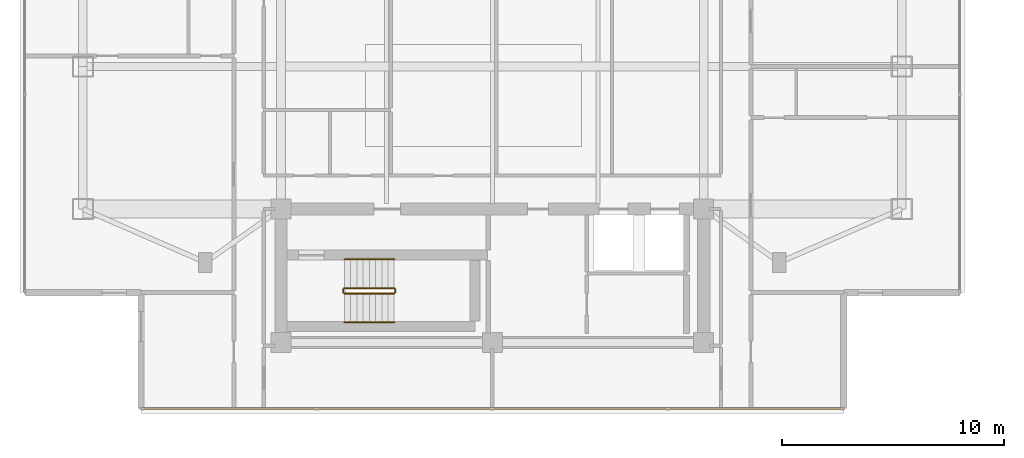
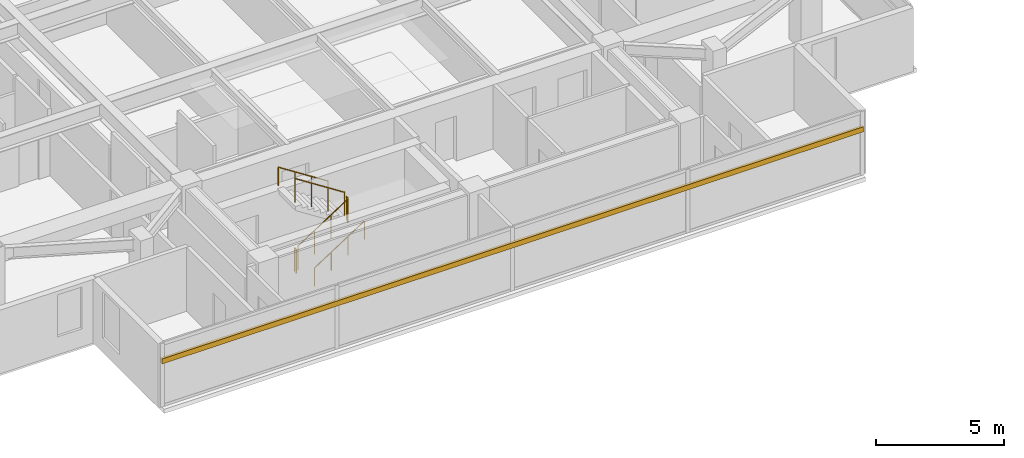
# One storey, part 20 of 26: 6 railings, 1 shading device.
"""IFC4 building model written with IfcOpenShell, lengths in metres."""

from ifc_helpers import new_model, si_unit, direction, frame, origin, origin_2d, place, context, subcontext, project, spatial, rectangle, circle, extrude, material, material_profile, profile_set, type_object, element, save


model = new_model("IFC4")

# Units and contexts
model_context = context("Model", 3, precision=1e-05, world=origin(), true_north=direction((0.0, 1.0)))
body_context = subcontext(model_context, "Body", "Model", "MODEL_VIEW")
ifc_project = project(units=[si_unit("LENGTHUNIT", "METRE"), si_unit("AREAUNIT", "SQUARE_METRE"), si_unit("VOLUMEUNIT", "CUBIC_METRE"), si_unit("PLANEANGLEUNIT", "RADIAN"), si_unit("MASSUNIT", "GRAM", prefix="KILO")], contexts=[model_context])

# Site, building, storey
site_placement = place(None, origin())
site = spatial("IfcSite", under=ifc_project, at=site_placement, CompositionType="ELEMENT")
building_placement = place(site_placement, origin())
building = spatial("IfcBuilding", under=site, at=building_placement, Name="Mirazonda Arch Towers", CompositionType="ELEMENT")
storey_placement = place(building_placement, frame((0.0, 0.0, 203.14990234375)))
storey = spatial("IfcBuildingStorey", under=building, at=storey_placement, Name="L58", CompositionType="ELEMENT", Elevation=203.14990234375)

# Shading device
ifc_material_1 = material(Name="Kiln-Fired Architectural Terracotta", Category="masonry")
ifc_material_profile = material_profile(ifc_material_1, rectangle(XDim=0.1201171875, YDim=0.239990234375, at=origin_2d()), Name="TERRA-BAG-120x240")
ifc_profile_set = profile_set([ifc_material_profile], Name="Kiln-Fired Architectural Terracotta")
shading_device_type = type_object("IfcShadingDeviceType", Name="BAGUETTE-1", PredefinedType="USERDEFINED", material=ifc_profile_set)
shading_device_placement = place(storey_placement, frame((36.294921875, 9.422119140625, 2.181640625), z_axis=(-1.0, 0.0, 0.0), x_axis=(0.0, -1.0, 0.0)))
element("IfcShadingDevice", 1, at=shading_device_placement, inside=storey, type_object=shading_device_type, Name="L58 Glazed Terracotta Sun-Screen Baguette CW-L58-T1-S", ObjectType="BAGUETTE", PredefinedType="USERDEFINED", context=body_context, shape_type="SweptSolid", body=[
    extrude(rectangle(XDim=0.1201171875, YDim=0.239990234375, at=origin_2d()), origin(), (0.0, 0.0, 1.0), 31.58984375),
])

# Railings
ifc_material_2 = material(Name="Architectural Brushed Steel S355", Category="steel")
railing_type_1 = type_object("IfcRailingType", Name="GUARD-STAIR-1120", PredefinedType="GUARDRAIL", material=ifc_material_2)
railing_1_placement = place(storey_placement, frame((13.85009765625, 14.60009765625, 0.1806640625)))
element("IfcRailing", 2, at=railing_1_placement, inside=storey, type_object=railing_type_1, Name="L58 ST-T1S stair guard 1", PredefinedType="GUARDRAIL", context=body_context, shape_type="SweptSolid", body=[
    extrude(circle(Radius=0.02392578125, at=origin_2d()), frame((0.0, 0.0, 1.1259765625), z_axis=(0.840436612492, 0.0, 0.541909863706), x_axis=(0.0, 1.0, 0.0)), (0.0, 0.0, 1.0), 2.665283203125),
    extrude(circle(Radius=0.02099609375, at=origin_2d()), origin(), (0.0, 0.0, 1.0), 1.101806640625),
    extrude(circle(Radius=0.02099609375, at=origin_2d()), frame((0.74658203125, 0.0, 0.4814453125)), (0.0, 0.0, 1.0), 1.101806640625),
    extrude(circle(Radius=0.02099609375, at=origin_2d()), frame((1.493408203125, 0.0, 0.962890625)), (0.0, 0.0, 1.0), 1.101806640625),
    extrude(circle(Radius=0.02099609375, at=origin_2d()), frame((2.239990234375, 0.0, 1.4443359375)), (0.0, 0.0, 1.0), 1.101806640625),
])
railing_2_placement = place(storey_placement, frame((16.139892578125, 14.64990234375, 1.625)))
element("IfcRailing", 3, at=railing_2_placement, inside=storey, type_object=railing_type_1, Name="L58 ST-T1S stair guard 2", PredefinedType="GUARDRAIL", context=body_context, shape_type="SweptSolid", body=[
    extrude(circle(Radius=0.02392578125, at=origin_2d()), frame((0.0, 0.0, 1.1259765625), z_axis=(0.0, 1.0, 0.0), x_axis=(-1.0, 0.0, 0.0)), (0.0, 0.0, 1.0), 0.14013671875),
    extrude(circle(Radius=0.02099609375, at=origin_2d()), origin(), (0.0, 0.0, 1.0), 1.101806640625),
    extrude(circle(Radius=0.02099609375, at=origin_2d()), frame((0.0, 0.14013671875, 0.0)), (0.0, 0.0, 1.0), 1.101806640625),
])
railing_3_placement = place(storey_placement, frame((16.090087890625, 14.840087890625, 1.8056640625)))
element("IfcRailing", 4, at=railing_3_placement, inside=storey, type_object=railing_type_1, Name="L58 ST-T1S stair guard 3", PredefinedType="GUARDRAIL", context=body_context, shape_type="SweptSolid", body=[
    extrude(circle(Radius=0.02392578125, at=origin_2d()), frame((0.0, 0.0, 1.1259765625), z_axis=(-0.840436612492, 0.0, 0.541909863706), x_axis=(0.0, -1.0, 0.0)), (0.0, 0.0, 1.0), 2.665283203125),
    extrude(circle(Radius=0.02099609375, at=origin_2d()), origin(), (0.0, 0.0, 1.0), 1.101806640625),
    extrude(circle(Radius=0.02099609375, at=origin_2d()), frame((-0.74658203125, 0.0, 0.4814453125)), (0.0, 0.0, 1.0), 1.101806640625),
    extrude(circle(Radius=0.02099609375, at=origin_2d()), frame((-1.493408203125, 0.0, 0.962890625)), (0.0, 0.0, 1.0), 1.101806640625),
    extrude(circle(Radius=0.02099609375, at=origin_2d()), frame((-2.239990234375, 0.0, 1.4443359375)), (0.0, 0.0, 1.0), 1.101806640625),
])
railing_4_placement = place(storey_placement, frame((13.800048828125, 14.64990234375, 0.0)))
element("IfcRailing", 5, at=railing_4_placement, inside=storey, type_object=railing_type_1, Name="L58 ST-T1S stair guard 4", PredefinedType="GUARDRAIL", context=body_context, shape_type="SweptSolid", body=[
    extrude(circle(Radius=0.02392578125, at=origin_2d()), frame((0.0, 0.0, 1.1259765625), z_axis=(0.0, 1.0, 0.0), x_axis=(-1.0, 0.0, 0.0)), (0.0, 0.0, 1.0), 0.14013671875),
    extrude(circle(Radius=0.02099609375, at=origin_2d()), origin(), (0.0, 0.0, 1.0), 1.101806640625),
    extrude(circle(Radius=0.02099609375, at=origin_2d()), frame((0.0, 0.14013671875, 0.0)), (0.0, 0.0, 1.0), 1.101806640625),
])
railing_type_2 = type_object("IfcRailingType", Name="HANDRAIL-915", PredefinedType="HANDRAIL", material=ifc_material_2)
railing_5_placement = place(storey_placement, frame((13.85009765625, 13.300048828125, 0.1806640625)))
element("IfcRailing", 6, at=railing_5_placement, inside=storey, type_object=railing_type_2, Name="L58 ST-T1S stair handrail 1", PredefinedType="HANDRAIL", context=body_context, shape_type="SweptSolid", body=[
    extrude(circle(Radius=0.02392578125, at=origin_2d()), frame((0.0, 0.0, 0.8759765625), z_axis=(0.840436612492, 0.0, 0.541909863706), x_axis=(0.0, 1.0, 0.0)), (0.0, 0.0, 1.0), 2.665283203125),
    extrude(circle(Radius=0.02099609375, at=origin_2d()), origin(), (0.0, 0.0, 1.0), 0.851806640625),
    extrude(circle(Radius=0.02099609375, at=origin_2d()), frame((0.74658203125, 0.0, 0.4814453125)), (0.0, 0.0, 1.0), 0.851806640625),
    extrude(circle(Radius=0.02099609375, at=origin_2d()), frame((1.493408203125, 0.0, 0.962890625)), (0.0, 0.0, 1.0), 0.851806640625),
    extrude(circle(Radius=0.02099609375, at=origin_2d()), frame((2.239990234375, 0.0, 1.4443359375)), (0.0, 0.0, 1.0), 0.851806640625),
])
railing_6_placement = place(storey_placement, frame((16.090087890625, 16.139892578125, 1.8056640625)))
element("IfcRailing", 7, at=railing_6_placement, inside=storey, type_object=railing_type_2, Name="L58 ST-T1S stair handrail 2", PredefinedType="HANDRAIL", context=body_context, shape_type="SweptSolid", body=[
    extrude(circle(Radius=0.02392578125, at=origin_2d()), frame((0.0, 0.0, 0.8759765625), z_axis=(-0.840436612492, 0.0, 0.541909863706), x_axis=(0.0, -1.0, 0.0)), (0.0, 0.0, 1.0), 2.665283203125),
    extrude(circle(Radius=0.02099609375, at=origin_2d()), origin(), (0.0, 0.0, 1.0), 0.851806640625),
    extrude(circle(Radius=0.02099609375, at=origin_2d()), frame((-0.74658203125, 0.0, 0.4814453125)), (0.0, 0.0, 1.0), 0.851806640625),
    extrude(circle(Radius=0.02099609375, at=origin_2d()), frame((-1.493408203125, 0.0, 0.962890625)), (0.0, 0.0, 1.0), 0.851806640625),
    extrude(circle(Radius=0.02099609375, at=origin_2d()), frame((-2.239990234375, 0.0, 1.4443359375)), (0.0, 0.0, 1.0), 0.851806640625),
])

save(model, "model.ifc")
